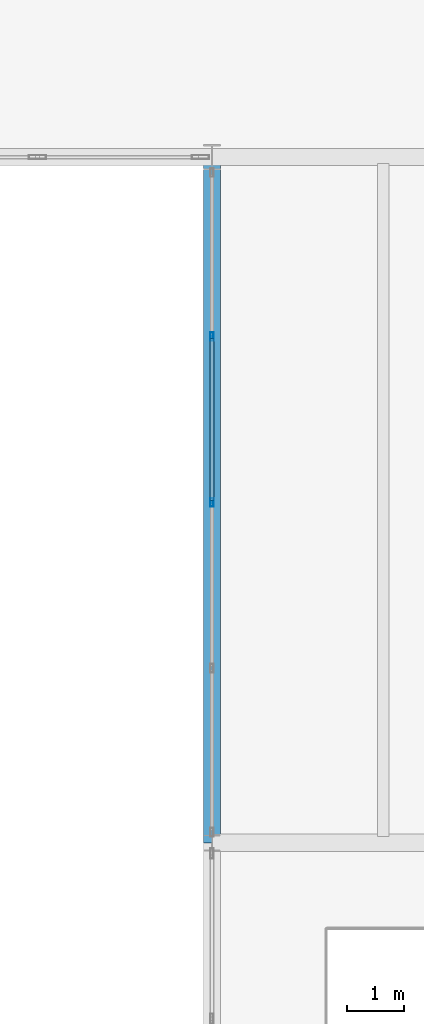
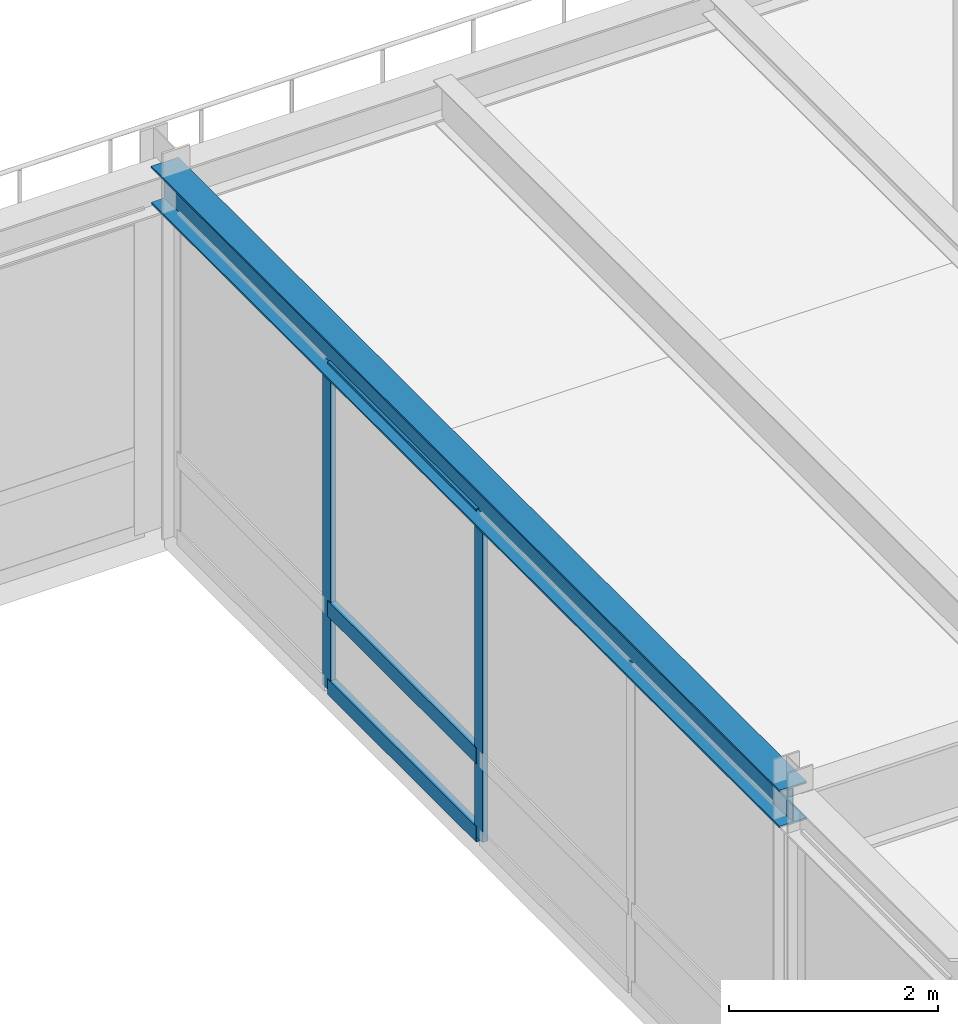
# One storey, part 53 of 127: 5 members, 1 beam, 1 element without a shape of its own.
"""IFC4 building model written with IfcOpenShell, lengths in metres."""

from ifc_helpers import new_model, si_unit, direction, frame, origin, origin_2d, place, context, subcontext, project, spatial, hollow_rectangle, i_section, extrude, material, layer, layer_set, material_profile, profile_set, type_object, element, aggregate, save


model = new_model("IFC4")

# Units and contexts
model_context = context("Model", 3, precision=1e-05, world=origin(), true_north=direction((0.0, 1.0)))
body_context = subcontext(model_context, "Body", "Model", "MODEL_VIEW")
ifc_project = project(units=[si_unit("LENGTHUNIT", "METRE"), si_unit("AREAUNIT", "SQUARE_METRE"), si_unit("VOLUMEUNIT", "CUBIC_METRE"), si_unit("PLANEANGLEUNIT", "RADIAN"), si_unit("MASSUNIT", "GRAM", prefix="KILO")], contexts=[model_context])

# Site, building, storey
site_placement = place(None, origin())
site = spatial("IfcSite", under=ifc_project, at=site_placement, CompositionType="ELEMENT")
building_placement = place(site_placement, origin())
building = spatial("IfcBuilding", under=site, at=building_placement, Name="Montelvaro Courts of Justice", CompositionType="ELEMENT")
storey_placement = place(building_placement, frame((0.0, 0.0, 5.39990234375)))
storey = spatial("IfcBuildingStorey", under=building, at=storey_placement, Name="L01", CompositionType="ELEMENT", Elevation=5.39990234375)

# Beam
ifc_material_1 = material(Name="Steel S355", Category="steel")
ifc_material_profile_1 = material_profile(ifc_material_1, i_section(OverallWidth=0.300048828125, OverallDepth=0.43994140625, WebThickness=0.011474609375, FlangeThickness=0.02099609375, at=origin_2d()), Name="HEA 450")
ifc_profile_set_1 = profile_set([ifc_material_profile_1], Name="Steel S355")
beam_type = type_object("IfcBeamType", Name="Beam_HEA450", PredefinedType="USERDEFINED", material=ifc_profile_set_1)
beam_placement = place(storey_placement, frame((54.0, 66.0, 4.0), z_axis=(0.0, 1.0, 0.0), x_axis=(-1.0, 0.0, 0.0)))
element("IfcBeam", 1, at=beam_placement, inside=storey, type_object=beam_type, Name="Beam B-18 L01", ObjectType="GIRDER", PredefinedType="USERDEFINED", context=body_context, shape_type="SweptSolid", body=[
    extrude(i_section(OverallWidth=0.300048828125, OverallDepth=0.43994140625, WebThickness=0.011474609375, FlangeThickness=0.02099609375, at=origin_2d()), origin(), (0.0, 0.0, 1.0), 12.0),
])

# Curtain wall, members
ifc_material_2 = material(Name="Anodised aluminium EN AW-6063", Category="aluminium")
ifc_layer = layer(ifc_material_2, 0.159912109375)
ifc_layer_set = layer_set([ifc_layer], Name="Anodised aluminium EN AW-6063")
curtain_wall_type = type_object("IfcCurtainWallType", Name="CurtainWall_19_1159x418", PredefinedType="USERDEFINED", material=ifc_layer_set)
curtain_wall_placement = place(storey_placement, origin())
curtain_wall = element("IfcCurtainWall", 2, at=curtain_wall_placement, inside=storey, type_object=curtain_wall_type, Name="Curtain Wall CW-19 (L01)", ObjectType="CURTAIN WALL", PredefinedType="USERDEFINED")
ifc_material_profile_2 = material_profile(ifc_material_2, hollow_rectangle(XDim=0.06005859375, YDim=0.14990234375, WallThickness=0.00390625, at=origin_2d()), Name="ALU-M 60x150")
ifc_profile_set_2 = profile_set([ifc_material_profile_2], Name="Anodised aluminium EN AW-6063")
member_type_1 = type_object("IfcMemberType", Name="CurtainWall_Mullion_60x150", PredefinedType="MULLION", material=ifc_profile_set_2)
member_1_placement = place(storey_placement, frame((54.0, 74.858642578125, 0.0), z_axis=(0.0, 0.0, 1.0), x_axis=(1.0, 0.0, 0.0)))
member_1 = element("IfcMember", 3, at=member_1_placement, type_object=member_type_1, Name="CW-19 mullion 2", PredefinedType="MULLION", context=body_context, shape_type="SweptSolid", body=[
    extrude(hollow_rectangle(XDim=0.06005859375, YDim=0.14990234375, WallThickness=0.00390625, at=origin_2d()), origin(), (0.0, 0.0, 1.0), 3.775146484375),
])
member_2_placement = place(storey_placement, frame((54.0, 71.95751953125, 0.0), z_axis=(0.0, 0.0, 1.0), x_axis=(1.0, 0.0, 0.0)))
member_2 = element("IfcMember", 4, at=member_2_placement, type_object=member_type_1, Name="CW-19 mullion 3", PredefinedType="MULLION", context=body_context, shape_type="SweptSolid", body=[
    extrude(hollow_rectangle(XDim=0.06005859375, YDim=0.14990234375, WallThickness=0.00390625, at=origin_2d()), origin(), (0.0, 0.0, 1.0), 3.775146484375),
])
ifc_material_profile_3 = material_profile(ifc_material_2, hollow_rectangle(XDim=0.074951171875, YDim=0.179931640625, WallThickness=0.0048828125, at=origin_2d()), Name="ALU-T 75x180")
ifc_profile_set_3 = profile_set([ifc_material_profile_3], Name="Anodised aluminium EN AW-6063")
member_type_2 = type_object("IfcMemberType", Name="CurtainWall_Transom_75x180", PredefinedType="USERDEFINED", material=ifc_profile_set_3)
member_3_placement = place(storey_placement, frame((54.0, 74.828857421875, 0.03759765625), z_axis=(0.0, -1.0, 0.0), x_axis=(1.0, 0.0, 0.0)))
member_3 = element("IfcMember", 5, at=member_3_placement, type_object=member_type_2, Name="CW-19 transom 2.1", ObjectType="TRANSOM", PredefinedType="USERDEFINED", context=body_context, shape_type="SweptSolid", body=[
    extrude(hollow_rectangle(XDim=0.074951171875, YDim=0.179931640625, WallThickness=0.0048828125, at=origin_2d()), origin(), (0.0, 0.0, 1.0), 2.84130859375),
])
member_4_placement = place(storey_placement, frame((54.0, 74.828857421875, 0.9501953125), z_axis=(0.0, -1.0, 0.0), x_axis=(1.0, 0.0, 0.0)))
member_4 = element("IfcMember", 6, at=member_4_placement, type_object=member_type_2, Name="CW-19 transom 2.2", ObjectType="TRANSOM", PredefinedType="USERDEFINED", context=body_context, shape_type="SweptSolid", body=[
    extrude(hollow_rectangle(XDim=0.074951171875, YDim=0.179931640625, WallThickness=0.0048828125, at=origin_2d()), origin(), (0.0, 0.0, 1.0), 2.84130859375),
])
member_5_placement = place(storey_placement, frame((54.0, 74.828857421875, 3.737548828125), z_axis=(0.0, -1.0, 0.0), x_axis=(1.0, 0.0, 0.0)))
member_5 = element("IfcMember", 7, at=member_5_placement, type_object=member_type_2, Name="CW-19 transom 2.3", ObjectType="TRANSOM", PredefinedType="USERDEFINED", context=body_context, shape_type="SweptSolid", body=[
    extrude(hollow_rectangle(XDim=0.074951171875, YDim=0.179931640625, WallThickness=0.0048828125, at=origin_2d()), origin(), (0.0, 0.0, 1.0), 2.84130859375),
])
aggregate(curtain_wall, [member_1, member_2, member_3, member_4, member_5])

save(model, "model.ifc")
